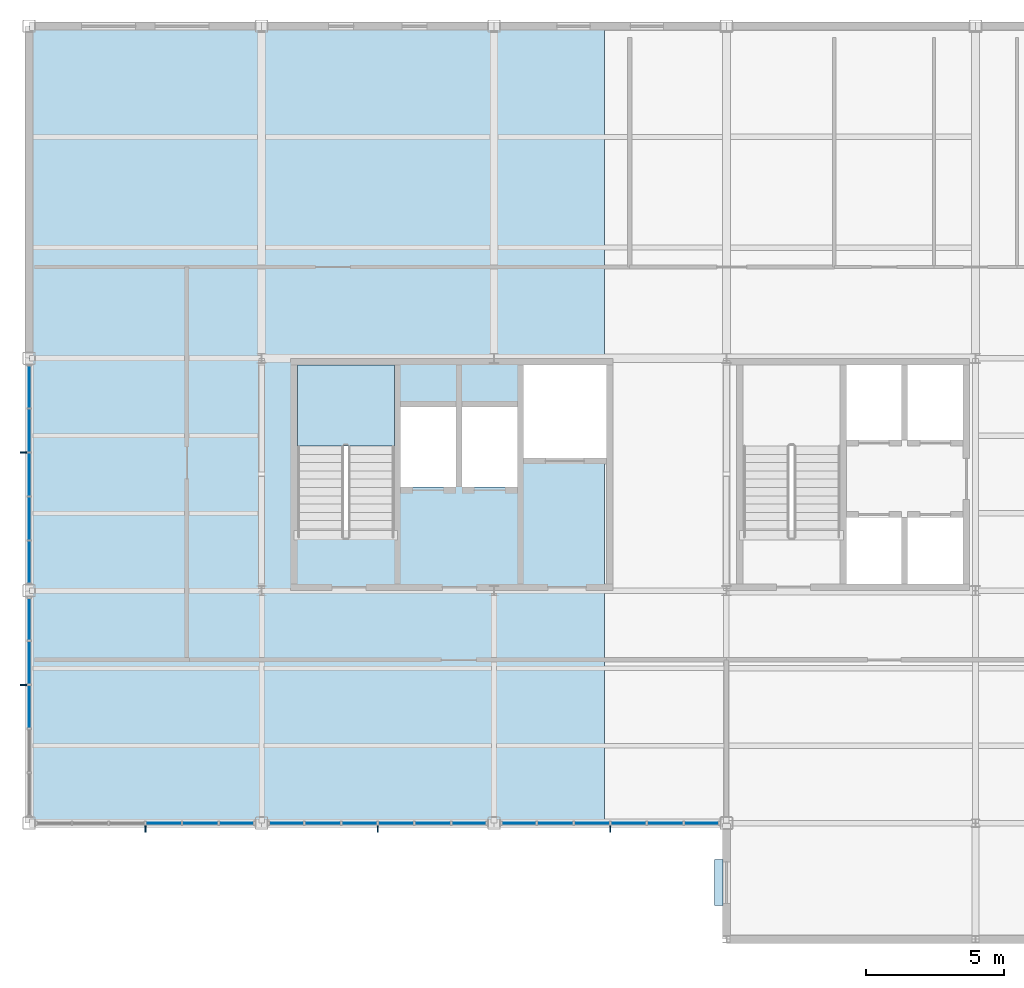
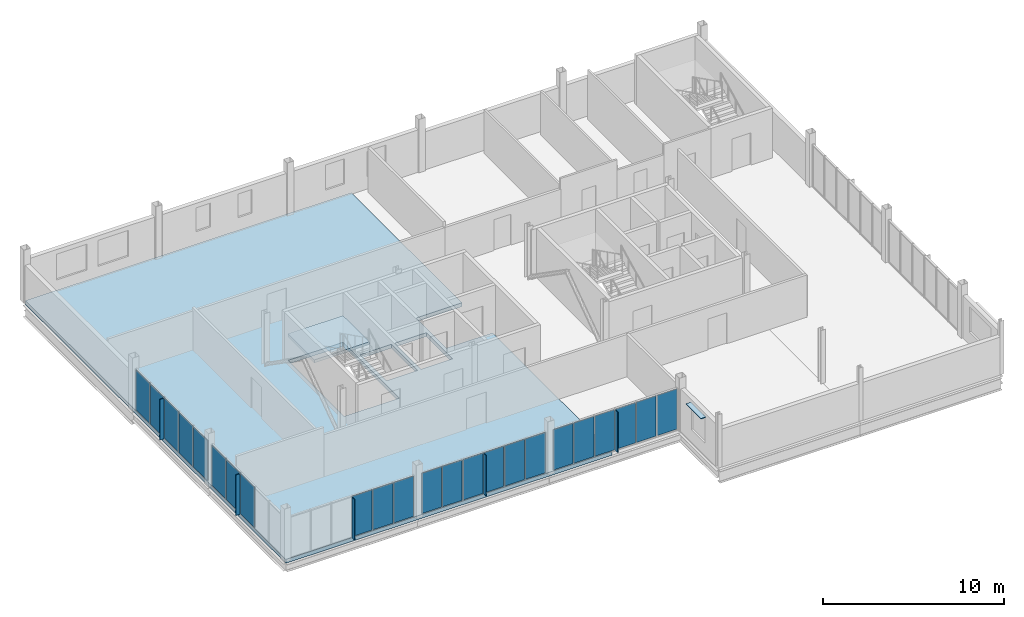
# One storey, part 10 of 16: 29 plates, 2 slabs, 6 elements without a shape of their own.
"""IFC4 building model written with IfcOpenShell, lengths in metres."""

from ifc_helpers import new_model, si_unit, direction, frame, origin, origin_2d, place, context, subcontext, project, spatial, polyline, rectangle, outline, extrude, material, layer, layer_set, type_object, element, aggregate, save


model = new_model("IFC4")

# Units and contexts
model_context = context("Model", 3, precision=1e-05, world=origin(), true_north=direction((0.0, 1.0)))
body_context = subcontext(model_context, "Body", "Model", "MODEL_VIEW")
ifc_project = project(units=[si_unit("LENGTHUNIT", "METRE"), si_unit("AREAUNIT", "SQUARE_METRE"), si_unit("VOLUMEUNIT", "CUBIC_METRE"), si_unit("PLANEANGLEUNIT", "RADIAN"), si_unit("MASSUNIT", "GRAM", prefix="KILO")], contexts=[model_context])

# Site, building, storey
site_placement = place(None, origin())
site = spatial("IfcSite", under=ifc_project, at=site_placement, CompositionType="ELEMENT")
building_placement = place(site_placement, origin())
building = spatial("IfcBuilding", under=site, at=building_placement, Name="Yukiwa Park Conservatory and Herbarium", CompositionType="ELEMENT")
storey_placement = place(building_placement, frame((0.0, 0.0, 43.199951171875)))
storey = spatial("IfcBuildingStorey", under=building, at=storey_placement, Name="L11", CompositionType="ELEMENT", Elevation=43.199951171875)

# Curtain wall, plates
ifc_material_1 = material(Name="Triple Low-E Insulated Glass", Category="glass")
ifc_layer_1 = layer(ifc_material_1, 0.260009765625)
ifc_layer_set_1 = layer_set([ifc_layer_1], Name="Triple Low-E Insulated Glass")
curtain_wall_type_1 = type_object("IfcCurtainWallType", Name="CW-TOWER-LAB-W-1500", PredefinedType="NOTDEFINED", material=ifc_layer_set_1)
curtain_wall_1_placement = place(storey_placement, origin())
curtain_wall_1 = element("IfcCurtainWall", 1, at=curtain_wall_1_placement, inside=storey, type_object=curtain_wall_type_1, Name="L11 unitised curtain wall CW-L11-114", PredefinedType="NOTDEFINED")
ifc_material_2 = material(Name="Triple Low-E Insulated Glass", Category="glass")
ifc_layer_2 = layer(ifc_material_2, 0.035888671875)
ifc_layer_set_2 = layer_set([ifc_layer_2], Name="Triple Low-E Insulated Glass")
plate_type_1 = type_object("IfcPlateType", Name="PL-CW-GLZ-36", PredefinedType="CURTAIN_PANEL", material=ifc_layer_set_2)
plate_1_placement = place(storey_placement, frame((124.800048828125, 102.179931640625, 0.06982421875), z_axis=(0.0, 0.0, 1.0), x_axis=(0.0, -1.0, 0.0)))
plate_1 = element("IfcPlate", 2, at=plate_1_placement, type_object=plate_type_1, Name="CW-L11-114 vision panel 1.1", PredefinedType="CURTAIN_PANEL", context=body_context, shape_type="SweptSolid", body=[
    extrude(rectangle(XDim=1.52001953125, YDim=0.035888671875, at=origin_2d()), origin(), (0.0, 0.0, 1.0), 2.714111328125),
])
plate_2_placement = place(storey_placement, frame((124.800048828125, 100.590087890625, 0.06982421875), z_axis=(0.0, 0.0, 1.0), x_axis=(0.0, -1.0, 0.0)))
plate_2 = element("IfcPlate", 3, at=plate_2_placement, type_object=plate_type_1, Name="CW-L11-114 vision panel 2.1", PredefinedType="CURTAIN_PANEL", context=body_context, shape_type="SweptSolid", body=[
    extrude(rectangle(XDim=1.52001953125, YDim=0.035888671875, at=origin_2d()), origin(), (0.0, 0.0, 1.0), 2.714111328125),
])
plate_3_placement = place(storey_placement, frame((124.800048828125, 99.0, 0.06982421875), z_axis=(0.0, 0.0, 1.0), x_axis=(0.0, -1.0, 0.0)))
plate_3 = element("IfcPlate", 4, at=plate_3_placement, type_object=plate_type_1, Name="CW-L11-114 vision panel 3.1", PredefinedType="CURTAIN_PANEL", context=body_context, shape_type="SweptSolid", body=[
    extrude(rectangle(XDim=1.52001953125, YDim=0.035888671875, at=origin_2d()), origin(), (0.0, 0.0, 1.0), 2.714111328125),
])
plate_4_placement = place(storey_placement, frame((124.800048828125, 97.409912109375, 0.06982421875), z_axis=(0.0, 0.0, 1.0), x_axis=(0.0, -1.0, 0.0)))
plate_4 = element("IfcPlate", 5, at=plate_4_placement, type_object=plate_type_1, Name="CW-L11-114 vision panel 4.1", PredefinedType="CURTAIN_PANEL", context=body_context, shape_type="SweptSolid", body=[
    extrude(rectangle(XDim=1.52001953125, YDim=0.035888671875, at=origin_2d()), origin(), (0.0, 0.0, 1.0), 2.714111328125),
])
plate_5_placement = place(storey_placement, frame((124.800048828125, 95.820068359375, 0.06982421875), z_axis=(0.0, 0.0, 1.0), x_axis=(0.0, -1.0, 0.0)))
plate_5 = element("IfcPlate", 6, at=plate_5_placement, type_object=plate_type_1, Name="CW-L11-114 vision panel 5.1", PredefinedType="CURTAIN_PANEL", context=body_context, shape_type="SweptSolid", body=[
    extrude(rectangle(XDim=1.52001953125, YDim=0.035888671875, at=origin_2d()), origin(), (0.0, 0.0, 1.0), 2.714111328125),
])
aggregate(curtain_wall_1, [plate_1, plate_2, plate_3, plate_4, plate_5])

curtain_wall_2_placement = place(storey_placement, origin())
curtain_wall_2 = element("IfcCurtainWall", 7, at=curtain_wall_2_placement, inside=storey, type_object=curtain_wall_type_1, Name="L11 unitised curtain wall CW-L11-115", PredefinedType="NOTDEFINED")
plate_6_placement = place(storey_placement, frame((124.800048828125, 93.780029296875, 0.06982421875), z_axis=(0.0, 0.0, 1.0), x_axis=(0.0, -1.0, 0.0)))
plate_6 = element("IfcPlate", 8, at=plate_6_placement, type_object=plate_type_1, Name="CW-L11-115 vision panel 1.1", PredefinedType="CURTAIN_PANEL", context=body_context, shape_type="SweptSolid", body=[
    extrude(rectangle(XDim=1.52001953125, YDim=0.035888671875, at=origin_2d()), origin(), (0.0, 0.0, 1.0), 2.714111328125),
])
plate_7_placement = place(storey_placement, frame((124.800048828125, 92.18994140625, 0.06982421875), z_axis=(0.0, 0.0, 1.0), x_axis=(0.0, -1.0, 0.0)))
plate_7 = element("IfcPlate", 9, at=plate_7_placement, type_object=plate_type_1, Name="CW-L11-115 vision panel 2.1", PredefinedType="CURTAIN_PANEL", context=body_context, shape_type="SweptSolid", body=[
    extrude(rectangle(XDim=1.52001953125, YDim=0.035888671875, at=origin_2d()), origin(), (0.0, 0.0, 1.0), 2.714111328125),
])
plate_8_placement = place(storey_placement, frame((124.800048828125, 90.60009765625, 0.06982421875), z_axis=(0.0, 0.0, 1.0), x_axis=(0.0, -1.0, 0.0)))
plate_8 = element("IfcPlate", 10, at=plate_8_placement, type_object=plate_type_1, Name="CW-L11-115 vision panel 3.1", PredefinedType="CURTAIN_PANEL", context=body_context, shape_type="SweptSolid", body=[
    extrude(rectangle(XDim=1.52001953125, YDim=0.035888671875, at=origin_2d()), origin(), (0.0, 0.0, 1.0), 2.714111328125),
])
aggregate(curtain_wall_2, [plate_6, plate_7, plate_8])

ifc_material_3 = material(Name="Triple Low-E Insulated Glass", Category="glass")
ifc_layer_3 = layer(ifc_material_3, 0.248046875)
ifc_layer_set_3 = layer_set([ifc_layer_3], Name="Triple Low-E Insulated Glass")
curtain_wall_type_2 = type_object("IfcCurtainWallType", Name="CW-TOWER-LAB-S-1400", PredefinedType="NOTDEFINED", material=ifc_layer_set_3)
curtain_wall_3_placement = place(storey_placement, origin())
curtain_wall_3 = element("IfcCurtainWall", 11, at=curtain_wall_3_placement, inside=storey, type_object=curtain_wall_type_2, Name="L11 unitised curtain wall CW-L11-116", PredefinedType="NOTDEFINED")
plate_9_placement = place(storey_placement, frame((129.66259765625, 86.39990234375, 0.06982421875), z_axis=(0.0, 0.0, 1.0), x_axis=(1.0, 0.0, 0.0)))
plate_9 = element("IfcPlate", 12, at=plate_9_placement, type_object=plate_type_1, Name="CW-L11-116 vision panel 4.1", PredefinedType="CURTAIN_PANEL", context=body_context, shape_type="SweptSolid", body=[
    extrude(rectangle(XDim=1.2548828125, YDim=0.035888671875, at=origin_2d()), origin(), (0.0, 0.0, 1.0), 2.714111328125),
])
plate_10_placement = place(storey_placement, frame((130.987548828125, 86.39990234375, 0.06982421875), z_axis=(0.0, 0.0, 1.0), x_axis=(1.0, 0.0, 0.0)))
plate_10 = element("IfcPlate", 13, at=plate_10_placement, type_object=plate_type_1, Name="CW-L11-116 vision panel 5.1", PredefinedType="CURTAIN_PANEL", context=body_context, shape_type="SweptSolid", body=[
    extrude(rectangle(XDim=1.2548828125, YDim=0.035888671875, at=origin_2d()), origin(), (0.0, 0.0, 1.0), 2.714111328125),
])
plate_11_placement = place(storey_placement, frame((132.3125, 86.39990234375, 0.06982421875), z_axis=(0.0, 0.0, 1.0), x_axis=(1.0, 0.0, 0.0)))
plate_11 = element("IfcPlate", 14, at=plate_11_placement, type_object=plate_type_1, Name="CW-L11-116 vision panel 6.1", PredefinedType="CURTAIN_PANEL", context=body_context, shape_type="SweptSolid", body=[
    extrude(rectangle(XDim=1.2548828125, YDim=0.035888671875, at=origin_2d()), origin(), (0.0, 0.0, 1.0), 2.714111328125),
])
aggregate(curtain_wall_3, [plate_9, plate_10, plate_11])

curtain_wall_4_placement = place(storey_placement, origin())
curtain_wall_4 = element("IfcCurtainWall", 15, at=curtain_wall_4_placement, inside=storey, type_object=curtain_wall_type_2, Name="L11 unitised curtain wall CW-L11-117", PredefinedType="NOTDEFINED")
plate_12_placement = place(storey_placement, frame((134.08740234375, 86.39990234375, 0.06982421875), z_axis=(0.0, 0.0, 1.0), x_axis=(1.0, 0.0, 0.0)))
plate_12 = element("IfcPlate", 16, at=plate_12_placement, type_object=plate_type_1, Name="CW-L11-117 vision panel 1.1", PredefinedType="CURTAIN_PANEL", context=body_context, shape_type="SweptSolid", body=[
    extrude(rectangle(XDim=1.2548828125, YDim=0.035888671875, at=origin_2d()), origin(), (0.0, 0.0, 1.0), 2.714111328125),
])
plate_13_placement = place(storey_placement, frame((135.41259765625, 86.39990234375, 0.06982421875), z_axis=(0.0, 0.0, 1.0), x_axis=(1.0, 0.0, 0.0)))
plate_13 = element("IfcPlate", 17, at=plate_13_placement, type_object=plate_type_1, Name="CW-L11-117 vision panel 2.1", PredefinedType="CURTAIN_PANEL", context=body_context, shape_type="SweptSolid", body=[
    extrude(rectangle(XDim=1.2548828125, YDim=0.035888671875, at=origin_2d()), origin(), (0.0, 0.0, 1.0), 2.714111328125),
])
plate_14_placement = place(storey_placement, frame((136.737548828125, 86.39990234375, 0.06982421875), z_axis=(0.0, 0.0, 1.0), x_axis=(1.0, 0.0, 0.0)))
plate_14 = element("IfcPlate", 18, at=plate_14_placement, type_object=plate_type_1, Name="CW-L11-117 vision panel 3.1", PredefinedType="CURTAIN_PANEL", context=body_context, shape_type="SweptSolid", body=[
    extrude(rectangle(XDim=1.2548828125, YDim=0.035888671875, at=origin_2d()), origin(), (0.0, 0.0, 1.0), 2.714111328125),
])
plate_15_placement = place(storey_placement, frame((138.0625, 86.39990234375, 0.06982421875), z_axis=(0.0, 0.0, 1.0), x_axis=(1.0, 0.0, 0.0)))
plate_15 = element("IfcPlate", 19, at=plate_15_placement, type_object=plate_type_1, Name="CW-L11-117 vision panel 4.1", PredefinedType="CURTAIN_PANEL", context=body_context, shape_type="SweptSolid", body=[
    extrude(rectangle(XDim=1.2548828125, YDim=0.035888671875, at=origin_2d()), origin(), (0.0, 0.0, 1.0), 2.714111328125),
])
plate_16_placement = place(storey_placement, frame((139.387451171875, 86.39990234375, 0.06982421875), z_axis=(0.0, 0.0, 1.0), x_axis=(1.0, 0.0, 0.0)))
plate_16 = element("IfcPlate", 20, at=plate_16_placement, type_object=plate_type_1, Name="CW-L11-117 vision panel 5.1", PredefinedType="CURTAIN_PANEL", context=body_context, shape_type="SweptSolid", body=[
    extrude(rectangle(XDim=1.2548828125, YDim=0.035888671875, at=origin_2d()), origin(), (0.0, 0.0, 1.0), 2.714111328125),
])
plate_17_placement = place(storey_placement, frame((140.71240234375, 86.39990234375, 0.06982421875), z_axis=(0.0, 0.0, 1.0), x_axis=(1.0, 0.0, 0.0)))
plate_17 = element("IfcPlate", 21, at=plate_17_placement, type_object=plate_type_1, Name="CW-L11-117 vision panel 6.1", PredefinedType="CURTAIN_PANEL", context=body_context, shape_type="SweptSolid", body=[
    extrude(rectangle(XDim=1.2548828125, YDim=0.035888671875, at=origin_2d()), origin(), (0.0, 0.0, 1.0), 2.714111328125),
])
aggregate(curtain_wall_4, [plate_12, plate_13, plate_14, plate_15, plate_16, plate_17])

curtain_wall_5_placement = place(storey_placement, origin())
curtain_wall_5 = element("IfcCurtainWall", 22, at=curtain_wall_5_placement, inside=storey, type_object=curtain_wall_type_2, Name="L11 unitised curtain wall CW-L11-118", PredefinedType="NOTDEFINED")
plate_18_placement = place(storey_placement, frame((142.487548828125, 86.39990234375, 0.06982421875), z_axis=(0.0, 0.0, 1.0), x_axis=(1.0, 0.0, 0.0)))
plate_18 = element("IfcPlate", 23, at=plate_18_placement, type_object=plate_type_1, Name="CW-L11-118 vision panel 1.1", PredefinedType="CURTAIN_PANEL", context=body_context, shape_type="SweptSolid", body=[
    extrude(rectangle(XDim=1.2548828125, YDim=0.035888671875, at=origin_2d()), origin(), (0.0, 0.0, 1.0), 2.714111328125),
])
plate_19_placement = place(storey_placement, frame((143.8125, 86.39990234375, 0.06982421875), z_axis=(0.0, 0.0, 1.0), x_axis=(1.0, 0.0, 0.0)))
plate_19 = element("IfcPlate", 24, at=plate_19_placement, type_object=plate_type_1, Name="CW-L11-118 vision panel 2.1", PredefinedType="CURTAIN_PANEL", context=body_context, shape_type="SweptSolid", body=[
    extrude(rectangle(XDim=1.2548828125, YDim=0.035888671875, at=origin_2d()), origin(), (0.0, 0.0, 1.0), 2.714111328125),
])
plate_20_placement = place(storey_placement, frame((145.137451171875, 86.39990234375, 0.06982421875), z_axis=(0.0, 0.0, 1.0), x_axis=(1.0, 0.0, 0.0)))
plate_20 = element("IfcPlate", 25, at=plate_20_placement, type_object=plate_type_1, Name="CW-L11-118 vision panel 3.1", PredefinedType="CURTAIN_PANEL", context=body_context, shape_type="SweptSolid", body=[
    extrude(rectangle(XDim=1.2548828125, YDim=0.035888671875, at=origin_2d()), origin(), (0.0, 0.0, 1.0), 2.714111328125),
])
plate_21_placement = place(storey_placement, frame((146.46240234375, 86.39990234375, 0.06982421875), z_axis=(0.0, 0.0, 1.0), x_axis=(1.0, 0.0, 0.0)))
plate_21 = element("IfcPlate", 26, at=plate_21_placement, type_object=plate_type_1, Name="CW-L11-118 vision panel 4.1", PredefinedType="CURTAIN_PANEL", context=body_context, shape_type="SweptSolid", body=[
    extrude(rectangle(XDim=1.2548828125, YDim=0.035888671875, at=origin_2d()), origin(), (0.0, 0.0, 1.0), 2.714111328125),
])
plate_22_placement = place(storey_placement, frame((147.78759765625, 86.39990234375, 0.06982421875), z_axis=(0.0, 0.0, 1.0), x_axis=(1.0, 0.0, 0.0)))
plate_22 = element("IfcPlate", 27, at=plate_22_placement, type_object=plate_type_1, Name="CW-L11-118 vision panel 5.1", PredefinedType="CURTAIN_PANEL", context=body_context, shape_type="SweptSolid", body=[
    extrude(rectangle(XDim=1.2548828125, YDim=0.035888671875, at=origin_2d()), origin(), (0.0, 0.0, 1.0), 2.714111328125),
])
plate_23_placement = place(storey_placement, frame((149.112548828125, 86.39990234375, 0.06982421875), z_axis=(0.0, 0.0, 1.0), x_axis=(1.0, 0.0, 0.0)))
plate_23 = element("IfcPlate", 28, at=plate_23_placement, type_object=plate_type_1, Name="CW-L11-118 vision panel 6.1", PredefinedType="CURTAIN_PANEL", context=body_context, shape_type="SweptSolid", body=[
    extrude(rectangle(XDim=1.2548828125, YDim=0.035888671875, at=origin_2d()), origin(), (0.0, 0.0, 1.0), 2.714111328125),
])
aggregate(curtain_wall_5, [plate_18, plate_19, plate_20, plate_21, plate_22, plate_23])

# Plates
ifc_material_4 = material(Name="Anodised Aluminium", Category="aluminium")
ifc_layer_4 = layer(ifc_material_4, 0.050048828125)
ifc_layer_set_4 = layer_set([ifc_layer_4], Name="Anodised Aluminium")
plate_type_2 = type_object("IfcPlateType", Name="PL-FIN-ALU-50", PredefinedType="USERDEFINED", material=ifc_layer_set_4)
for number, where, z_axis, x_axis, name in (
    (29, (124.610107421875, 99.794921875, 0.06005859375), (0.0, 0.0, 1.0), (0.0, -1.0, 0.0), "CW-L11-114 exterior vertical shading fin"),
    (30, (124.610107421875, 91.39501953125, 0.06005859375), (0.0, 0.0, 1.0), (0.0, -1.0, 0.0), "CW-L11-115 exterior vertical shading fin"),
    (31, (129.0, 86.2099609375, 0.06005859375), (0.0, 0.0, 1.0), (1.0, 0.0, 0.0), "CW-L11-116 exterior vertical shading fin"),
    (32, (137.39990234375, 86.2099609375, 0.06005859375), (0.0, 0.0, 1.0), (1.0, 0.0, 0.0), "CW-L11-117 exterior vertical shading fin"),
    (33, (145.800048828125, 86.2099609375, 0.06005859375), (0.0, 0.0, 1.0), (1.0, 0.0, 0.0), "CW-L11-118 exterior vertical shading fin"),
):
    element("IfcPlate", number, at=place(storey_placement, frame(where, z_axis=z_axis, x_axis=x_axis)), inside=storey, type_object=plate_type_2, Name=name, ObjectType="SHADING FIN", PredefinedType="USERDEFINED", context=body_context, shape_type="SweptSolid", body=[
        extrude(rectangle(XDim=0.050048828125, YDim=0.280029296875, at=origin_2d()), origin(), (0.0, 0.0, 1.0), 2.73388671875),
    ])
ifc_material_5 = material(Name="Anodised Aluminium", Category="aluminium")
ifc_layer_5 = layer(ifc_material_5, 0.0400390625)
ifc_layer_set_5 = layer_set([ifc_layer_5], Name="Anodised Aluminium")
plate_type_3 = type_object("IfcPlateType", Name="PL-SHADE-ALU-40", PredefinedType="SHEET", material=ifc_layer_set_5)
plate_24_placement = place(storey_placement, frame((149.719970703125, 84.25, 2.60009765625), z_axis=(0.0, 0.0, 1.0), x_axis=(0.0, -1.0, 0.0)))
element("IfcPlate", 34, at=plate_24_placement, inside=storey, type_object=plate_type_3, Name="L11 snow-shedding window hood 179", PredefinedType="SHEET", context=body_context, shape_type="SweptSolid", body=[
    extrude(rectangle(XDim=1.659912109375, YDim=0.300048828125, at=origin_2d()), origin(), (0.0, 0.0, 1.0), 0.0400390625),
])

# Slab
ifc_material_6 = material(Name="Concrete C40", Category="concrete")
ifc_layer_6 = layer(ifc_material_6, 0.258056640625)
ifc_layer_set_6 = layer_set([ifc_layer_6], Name="Concrete C40")
slab_type_1 = type_object("IfcSlabType", Name="SL-FLR-258", PredefinedType="FLOOR", material=ifc_layer_set_6)
slab_1_placement = place(storey_placement, frame((0.0, 0.0, -0.258056640625)))
element("IfcSlab", 35, at=slab_1_placement, inside=storey, type_object=slab_type_1, Name="L11 composite structural floor slab V5W", PredefinedType="FLOOR", context=body_context, shape_type="SweptSolid", body=[
    extrude(outline(polyline([(124.800048828125, 115.199951171875), (145.60009765625, 115.199951171875), (145.60009765625, 102.949951171875), (142.659912109375, 102.949951171875), (142.659912109375, 99.60009765625), (145.60009765625, 99.60009765625), (145.60009765625, 86.39990234375), (124.800048828125, 86.39990234375), (124.800048828125, 115.199951171875)]), holes=[polyline([(134.489990234375, 102.949951171875), (134.489990234375, 96.72998046875), (138.0, 96.72998046875), (138.0, 102.949951171875), (134.489990234375, 102.949951171875)]), polyline([(140.219970703125, 101.43994140625), (138.219970703125, 101.43994140625), (138.219970703125, 98.5400390625), (140.219970703125, 98.5400390625), (140.219970703125, 101.43994140625)]), polyline([(140.43994140625, 101.43994140625), (140.43994140625, 98.5400390625), (142.43994140625, 98.5400390625), (142.43994140625, 101.43994140625), (140.43994140625, 101.43994140625)])]), origin(), (0.0, 0.0, 1.0), 0.258056640625),
])

# Stair, slab
ifc_material_7 = material(Name="Concrete C40", Category="concrete")
stair_type = type_object("IfcStairType", Name="ST-DOGLEG-ST-T1", PredefinedType="HALF_TURN_STAIR", material=ifc_material_7)
stair_placement = place(storey_placement, origin())
stair = element("IfcStair", 36, at=stair_placement, inside=storey, type_object=stair_type, Name="L11 Protected Smoke-Proof Stair ST-T1", PredefinedType="HALF_TURN_STAIR")
ifc_material_8 = material(Name="Concrete C40", Category="concrete")
ifc_layer_7 = layer(ifc_material_8, 0.199951171875)
ifc_layer_set_7 = layer_set([ifc_layer_7], Name="Concrete C40")
slab_type_2 = type_object("IfcSlabType", Name="SL-LANDING-220", PredefinedType="LANDING", material=ifc_layer_set_7)
slab_2_placement = place(storey_placement, frame((0.0, 0.0, 1.60009765625)))
slab_2 = element("IfcSlab", 37, at=slab_2_placement, type_object=slab_type_2, Name="ST-T1 landing 1", PredefinedType="LANDING", context=body_context, shape_type="SweptSolid", body=[
    extrude(outline(polyline([(138.0, 100.030029296875), (138.0, 102.949951171875), (134.489990234375, 102.949951171875), (134.489990234375, 100.030029296875), (138.0, 100.030029296875)])), origin(), (0.0, 0.0, 1.0), 0.199951171875),
])
aggregate(stair, [slab_2])

save(model, "model.ifc")
